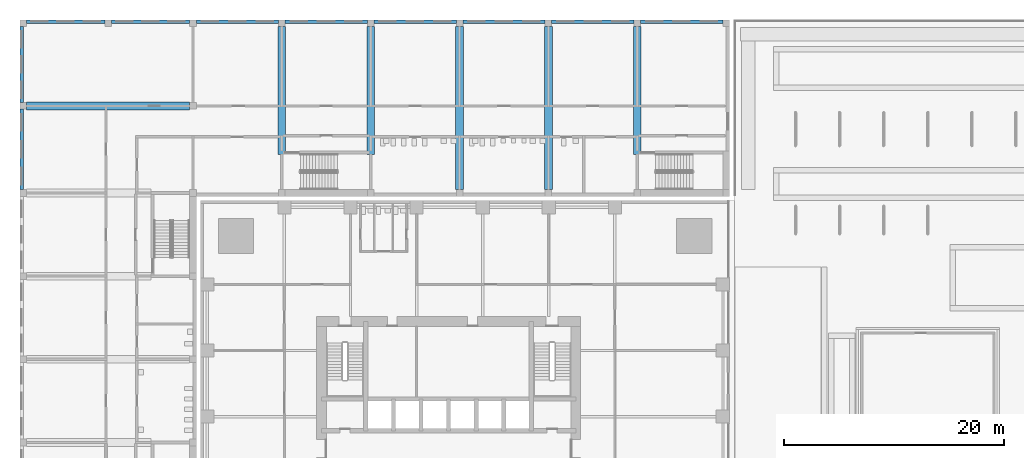
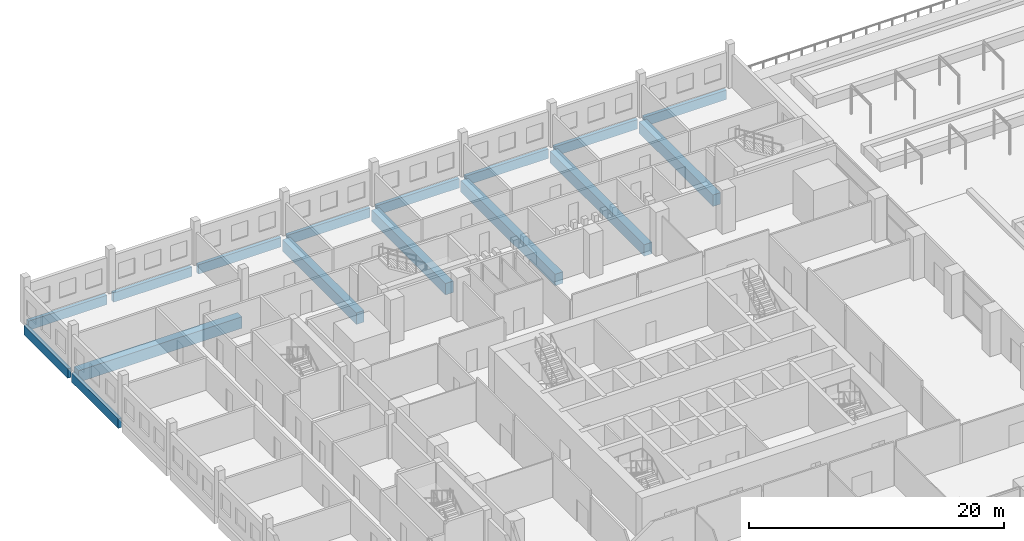
# One storey, part 13 of 34: 16 beams.
"""IFC4 building model written with IfcOpenShell, lengths in metres."""

from ifc_helpers import new_model, si_unit, direction, frame, origin, origin_2d, place, context, subcontext, project, spatial, rectangle, extrude, material, material_profile, profile_set, type_object, element, save


model = new_model("IFC4")

# Units and contexts
model_context = context("Model", 3, precision=1e-05, world=origin(), true_north=direction((0.0, 1.0)))
body_context = subcontext(model_context, "Body", "Model", "MODEL_VIEW")
ifc_project = project(units=[si_unit("LENGTHUNIT", "METRE"), si_unit("AREAUNIT", "SQUARE_METRE"), si_unit("VOLUMEUNIT", "CUBIC_METRE"), si_unit("PLANEANGLEUNIT", "RADIAN"), si_unit("MASSUNIT", "GRAM", prefix="KILO")], contexts=[model_context])

# Site, building, storey
site_placement = place(None, origin())
site = spatial("IfcSite", under=ifc_project, at=site_placement, CompositionType="ELEMENT")
building_placement = place(site_placement, origin())
building = spatial("IfcBuilding", under=site, at=building_placement, Name="Amberfall Residences", CompositionType="ELEMENT")
storey_placement = place(building_placement, frame((0.0, 0.0, 5.5)))
storey = spatial("IfcBuildingStorey", under=building, at=storey_placement, Name="L01", CompositionType="ELEMENT", Elevation=5.5)

# Beams
ifc_material = material(Name="Concrete C40", Category="concrete")
ifc_material_profile_1 = material_profile(ifc_material, rectangle(XDim=0.699951171875, YDim=1.10009765625, at=origin_2d()), Name="School beam 700 x 1100 C40")
ifc_profile_set_1 = profile_set([ifc_material_profile_1], Name="Concrete C40")
beam_type_1 = type_object("IfcBeamType", Name="School beam 700 x 1100 C40", PredefinedType="BEAM", material=ifc_profile_set_1)
beam_1_placement = place(storey_placement, frame((36.199951171875, 76.60009765625, -0.85009765625), z_axis=(1.0, 0.0, 0.0), x_axis=(0.0, 1.0, 0.0)))
element("IfcBeam", 1, at=beam_1_placement, inside=storey, type_object=beam_type_1, Name="TW9", PredefinedType="BEAM", context=body_context, shape_type="SweptSolid", body=[
    extrude(rectangle(XDim=0.699951171875, YDim=1.10009765625, at=origin_2d()), origin(), (0.0, 0.0, 1.0), 14.800048828125),
])
for number, where, z_axis, x_axis, name in (
    (2, (59.366943359375, 72.199951171875, -0.85009765625), (0.0, 1.0, 0.0), (-1.0, 0.0, 0.0), "TN1"),
    (3, (67.43310546875, 72.199951171875, -0.85009765625), (0.0, 1.0, 0.0), (-1.0, 0.0, 0.0), "TN2"),
):
    element("IfcBeam", number, at=place(storey_placement, frame(where, z_axis=z_axis, x_axis=x_axis)), inside=storey, type_object=beam_type_1, Name=name, PredefinedType="BEAM", context=body_context, shape_type="SweptSolid", body=[
        extrude(rectangle(XDim=0.699951171875, YDim=1.10009765625, at=origin_2d()), origin(), (0.0, 0.0, 1.0), 11.60009765625),
    ])
for number, where, z_axis, x_axis, name in (
    (4, (75.5, 69.0, -0.85009765625), (0.0, 1.0, 0.0), (-1.0, 0.0, 0.0), "TN3"),
    (5, (83.56689453125, 69.0, -0.85009765625), (0.0, 1.0, 0.0), (-1.0, 0.0, 0.0), "TN4"),
):
    element("IfcBeam", number, at=place(storey_placement, frame(where, z_axis=z_axis, x_axis=x_axis)), inside=storey, type_object=beam_type_1, Name=name, PredefinedType="BEAM", context=body_context, shape_type="SweptSolid", body=[
        extrude(rectangle(XDim=0.699951171875, YDim=1.10009765625, at=origin_2d()), origin(), (0.0, 0.0, 1.0), 14.800048828125),
    ])
beam_2_placement = place(storey_placement, frame((91.633056640625, 72.199951171875, -0.85009765625), z_axis=(0.0, 1.0, 0.0), x_axis=(-1.0, 0.0, 0.0)))
element("IfcBeam", 6, at=beam_2_placement, inside=storey, type_object=beam_type_1, Name="TN5", PredefinedType="BEAM", context=body_context, shape_type="SweptSolid", body=[
    extrude(rectangle(XDim=0.699951171875, YDim=1.10009765625, at=origin_2d()), origin(), (0.0, 0.0, 1.0), 11.60009765625),
])
ifc_material_profile_2 = material_profile(ifc_material, rectangle(XDim=0.300048828125, YDim=0.89990234375, at=origin_2d()), Name="School edge beam 300 x 900 C40")
ifc_profile_set_2 = profile_set([ifc_material_profile_2], Name="Concrete C40")
beam_type_2 = type_object("IfcBeamType", Name="School edge beam 300 x 900 C40", PredefinedType="BEAM", material=ifc_profile_set_2)
beam_3_placement = place(storey_placement, frame((35.75, 69.0, -0.75), z_axis=(0.0, 1.0, 0.0), x_axis=(-1.0, 0.0, 0.0)))
element("IfcBeam", 7, at=beam_3_placement, inside=storey, type_object=beam_type_2, Name="GW8", PredefinedType="BEAM", context=body_context, shape_type="SweptSolid", body=[
    extrude(rectangle(XDim=0.300048828125, YDim=0.89990234375, at=origin_2d()), origin(), (0.0, 0.0, 1.0), 7.300048828125),
])
beam_4_placement = place(storey_placement, frame((35.75, 76.89990234375, -0.75), z_axis=(0.0, 1.0, 0.0), x_axis=(-1.0, 0.0, 0.0)))
element("IfcBeam", 8, at=beam_4_placement, inside=storey, type_object=beam_type_2, Name="GW9", PredefinedType="BEAM", context=body_context, shape_type="SweptSolid", body=[
    extrude(rectangle(XDim=0.300048828125, YDim=0.89990234375, at=origin_2d()), origin(), (0.0, 0.0, 1.0), 6.900146484375),
])
for number, where, z_axis, x_axis, name in (
    (9, (36.199951171875, 84.25, -0.75), (1.0, 0.0, 0.0), (0.0, 1.0, 0.0), "GN0"),
    (10, (43.89990234375, 84.25, -0.75), (1.0, 0.0, 0.0), (0.0, 1.0, 0.0), "GN1"),
):
    element("IfcBeam", number, at=place(storey_placement, frame(where, z_axis=z_axis, x_axis=x_axis)), inside=storey, type_object=beam_type_2, Name=name, PredefinedType="BEAM", context=body_context, shape_type="SweptSolid", body=[
        extrude(rectangle(XDim=0.300048828125, YDim=0.89990234375, at=origin_2d()), origin(), (0.0, 0.0, 1.0), 7.10009765625),
    ])
beam_5_placement = place(storey_placement, frame((51.60009765625, 84.25, -0.75), z_axis=(1.0, 0.0, 0.0), x_axis=(0.0, 1.0, 0.0)))
element("IfcBeam", 11, at=beam_5_placement, inside=storey, type_object=beam_type_2, Name="GN2", PredefinedType="BEAM", context=body_context, shape_type="SweptSolid", body=[
    extrude(rectangle(XDim=0.300048828125, YDim=0.89990234375, at=origin_2d()), origin(), (0.0, 0.0, 1.0), 7.466796875),
])
beam_6_placement = place(storey_placement, frame((59.6669921875, 84.25, -0.75), z_axis=(1.0, 0.0, 0.0), x_axis=(0.0, 1.0, 0.0)))
element("IfcBeam", 12, at=beam_6_placement, inside=storey, type_object=beam_type_2, Name="GN3", PredefinedType="BEAM", context=body_context, shape_type="SweptSolid", body=[
    extrude(rectangle(XDim=0.300048828125, YDim=0.89990234375, at=origin_2d()), origin(), (0.0, 0.0, 1.0), 7.466064453125),
])
for number, where, z_axis, x_axis, name in (
    (13, (67.73291015625, 84.25, -0.75), (1.0, 0.0, 0.0), (0.0, 1.0, 0.0), "GN4"),
    (14, (75.800048828125, 84.25, -0.75), (1.0, 0.0, 0.0), (0.0, 1.0, 0.0), "GN5"),
):
    element("IfcBeam", number, at=place(storey_placement, frame(where, z_axis=z_axis, x_axis=x_axis)), inside=storey, type_object=beam_type_2, Name=name, PredefinedType="BEAM", context=body_context, shape_type="SweptSolid", body=[
        extrude(rectangle(XDim=0.300048828125, YDim=0.89990234375, at=origin_2d()), origin(), (0.0, 0.0, 1.0), 7.467041015625),
    ])
beam_7_placement = place(storey_placement, frame((83.866943359375, 84.25, -0.75), z_axis=(1.0, 0.0, 0.0), x_axis=(0.0, 1.0, 0.0)))
element("IfcBeam", 15, at=beam_7_placement, inside=storey, type_object=beam_type_2, Name="GN6", PredefinedType="BEAM", context=body_context, shape_type="SweptSolid", body=[
    extrude(rectangle(XDim=0.300048828125, YDim=0.89990234375, at=origin_2d()), origin(), (0.0, 0.0, 1.0), 7.466064453125),
])
beam_8_placement = place(storey_placement, frame((91.93310546875, 84.25, -0.75), z_axis=(1.0, 0.0, 0.0), x_axis=(0.0, 1.0, 0.0)))
element("IfcBeam", 16, at=beam_8_placement, inside=storey, type_object=beam_type_2, Name="GN7", PredefinedType="BEAM", context=body_context, shape_type="SweptSolid", body=[
    extrude(rectangle(XDim=0.300048828125, YDim=0.89990234375, at=origin_2d()), origin(), (0.0, 0.0, 1.0), 7.466796875),
])

save(model, "model.ifc")
